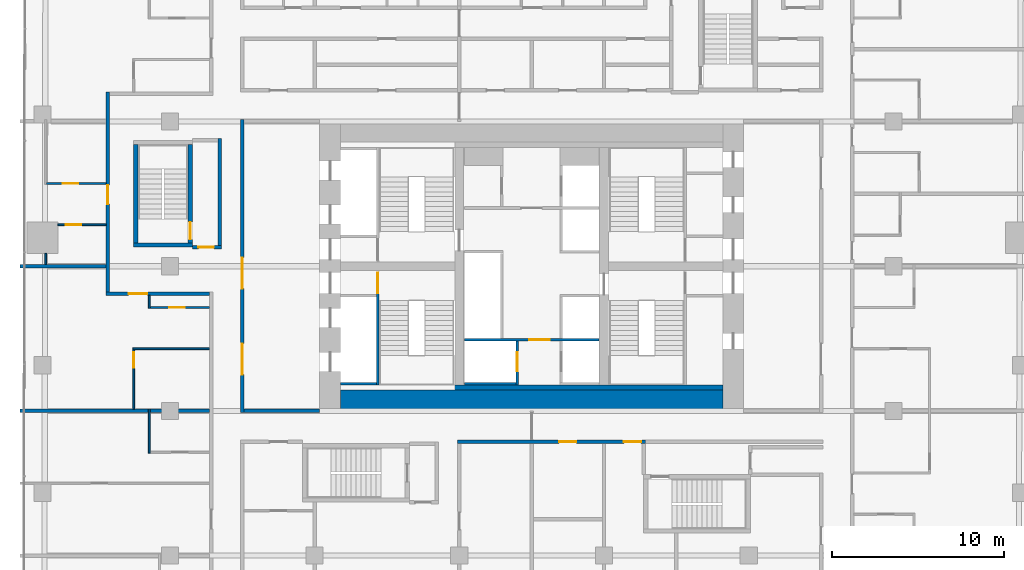
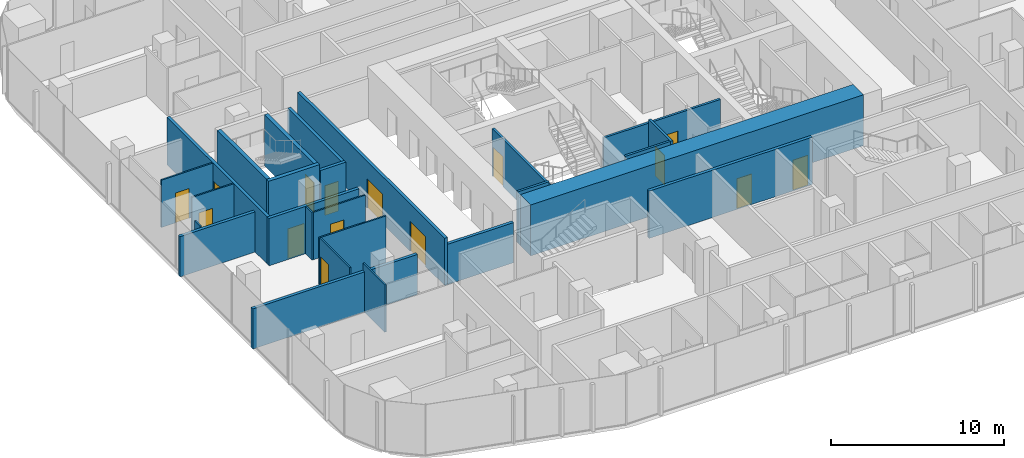
# One storey, part 17 of 26: 27 walls, 15 doors, 15 openings.
"""IFC4 building model written with IfcOpenShell, lengths in metres."""

from ifc_helpers import new_model, si_unit, direction, frame, frame_2d, origin, place, context, subcontext, project, spatial, rectangle, extrude, material, layer, layer_set, type_object, element, fill, save


model = new_model("IFC4")

# Units and contexts
model_context = context("Model", 3, precision=1e-05, world=origin(), true_north=direction((0.0, 1.0)))
body_context = subcontext(model_context, "Body", "Model", "MODEL_VIEW")
ifc_project = project(units=[si_unit("LENGTHUNIT", "METRE"), si_unit("AREAUNIT", "SQUARE_METRE"), si_unit("VOLUMEUNIT", "CUBIC_METRE"), si_unit("PLANEANGLEUNIT", "RADIAN"), si_unit("MASSUNIT", "GRAM", prefix="KILO")], contexts=[model_context])

# Site, building, storey
site_placement = place(None, origin())
site = spatial("IfcSite", under=ifc_project, at=site_placement, CompositionType="ELEMENT")
building_placement = place(site_placement, origin())
building = spatial("IfcBuilding", under=site, at=building_placement, Name="Marenta Gate Hotel Tower", CompositionType="ELEMENT")
storey_placement = place(building_placement, frame((0.0, 0.0, 65.300048828125)))
storey = spatial("IfcBuildingStorey", under=building, at=storey_placement, Name="L14", CompositionType="ELEMENT", Elevation=65.300048828125)

# Wall, openings, doors
ifc_material_1 = material(Name="Concrete blockwork", Category="masonry")
ifc_layer_1 = layer(ifc_material_1, 0.199951171875)
ifc_layer_set_1 = layer_set([ifc_layer_1], Name="Concrete blockwork")
wall_type_1 = type_object("IfcWallType", Name="Core boundary wall 200 REI 180", PredefinedType="PARTITIONING", material=ifc_layer_set_1)
wall_1_placement = place(storey_placement, frame((-16.800048828125, -0.10009765625, 0.0), z_axis=(0.0, 0.0, 1.0), x_axis=(0.0, 1.0, 0.0)))
wall_1 = element("IfcWall", 1, at=wall_1_placement, inside=storey, type_object=wall_type_1, Name="L14-CP-BW-W", PredefinedType="PARTITIONING", context=body_context, shape_type="SweptSolid", body=[
    extrude(rectangle(XDim=17.0, YDim=0.199951171875, at=frame_2d((8.5, 0.0))), origin(), (0.0, 0.0, 1.0), 3.33984375),
])
opening_1_placement = place(wall_1_placement, frame((2.199951171875, 0.0, 0.0)))
opening_1 = element("IfcOpeningElement", 2, at=opening_1_placement, cuts=wall_1, Name="Opening ED-Wa-B", PredefinedType="OPENING", context=body_context, shape_type="SweptSolid", body=[
    extrude(rectangle(XDim=1.800048828125, YDim=2.10009765625, at=frame_2d((0.89990234375, 1.050048828125))), frame((0.0, 0.10009765625, 0.0), z_axis=(0.0, -1.0, 0.0), x_axis=(1.0, 0.0, 0.0)), (0.0, 0.0, 1.0), 0.199951171875),
])
opening_2_placement = place(wall_1_placement, frame((7.199951171875, 0.0, 0.0)))
opening_2 = element("IfcOpeningElement", 3, at=opening_2_placement, cuts=wall_1, Name="Opening ED-Wb-B", PredefinedType="OPENING", context=body_context, shape_type="SweptSolid", body=[
    extrude(rectangle(XDim=1.800048828125, YDim=2.10009765625, at=frame_2d((0.89990234375, 1.050048828125))), frame((0.0, 0.10009765625, 0.0), z_axis=(0.0, -1.0, 0.0), x_axis=(1.0, 0.0, 0.0)), (0.0, 0.0, 1.0), 0.199951171875),
])
ifc_material_2 = material(Name="Steel", Category="steel")
door_type_1 = type_object("IfcDoorType", Name="Core lobby entrance door 1800x2100 EI 60", OperationType="DOUBLE_DOOR_SINGLE_SWING", PredefinedType="DOOR", material=ifc_material_2)
door_1_placement = place(opening_1_placement, origin())
door_1 = element("IfcDoor", 4, at=door_1_placement, inside=storey, type_object=door_type_1, Name="ED-Wa-B", OperationType="DOUBLE_DOOR_SINGLE_SWING", OverallHeight=2.10009765625, OverallWidth=1.800048828125, PredefinedType="DOOR", context=body_context, shape_type="SweptSolid", body=[
    extrude(rectangle(XDim=1.800048828125, YDim=2.10009765625, at=frame_2d((0.89990234375, 1.050048828125))), frame((0.0, 0.02490234375, 0.0), z_axis=(0.0, -1.0, 0.0), x_axis=(1.0, 0.0, 0.0)), (0.0, 0.0, 1.0), 0.050048828125),
])
fill(opening_1, door_1)
door_2_placement = place(opening_2_placement, origin())
door_2 = element("IfcDoor", 5, at=door_2_placement, inside=storey, type_object=door_type_1, Name="ED-Wb-B", OperationType="DOUBLE_DOOR_SINGLE_SWING", OverallHeight=2.10009765625, OverallWidth=1.800048828125, PredefinedType="DOOR", context=body_context, shape_type="SweptSolid", body=[
    extrude(rectangle(XDim=1.800048828125, YDim=2.10009765625, at=frame_2d((0.89990234375, 1.050048828125))), frame((0.0, 0.02490234375, 0.0), z_axis=(0.0, -1.0, 0.0), x_axis=(1.0, 0.0, 0.0)), (0.0, 0.0, 1.0), 0.050048828125),
])
fill(opening_2, door_2)

# Walls
wall_2_placement = place(storey_placement, frame((-16.699951171875, 0.0, 0.0), z_axis=(0.0, 0.0, 1.0), x_axis=(1.0, 0.0, 0.0)))
element("IfcWall", 6, at=wall_2_placement, inside=storey, type_object=wall_type_1, Name="L14-CP-EW-WS", PredefinedType="PARTITIONING", context=body_context, shape_type="SweptSolid", body=[
    extrude(rectangle(XDim=4.39990234375, YDim=0.199951171875, at=frame_2d((2.199951171875, 0.0))), origin(), (0.0, 0.0, 1.0), 2.83984375),
])
ifc_material_3 = material(Name="Concrete C40", Category="concrete")
ifc_layer_2 = layer(ifc_material_3, 0.300048828125)
ifc_layer_set_2 = layer_set([ifc_layer_2], Name="Concrete C40")
wall_type_2 = type_object("IfcWallType", Name="Core lining wall 300 REI 180", PredefinedType="PARTITIONING", material=ifc_layer_set_2)
wall_3_placement = place(storey_placement, frame((-11.10009765625, 1.35009765625, 0.0), z_axis=(0.0, 0.0, 1.0), x_axis=(1.0, 0.0, 0.0)))
element("IfcWall", 7, at=wall_3_placement, inside=storey, type_object=wall_type_2, Name="L14-CP-LN-S", PredefinedType="PARTITIONING", context=body_context, shape_type="SweptSolid", body=[
    extrude(rectangle(XDim=22.2001953125, YDim=0.300048828125, at=frame_2d((11.10009765625, 0.0))), origin(), (0.0, 0.0, 1.0), 3.33984375),
])

# Wall, opening, door
ifc_material_4 = material(Name="Concrete blockwork", Category="masonry")
ifc_layer_3 = layer(ifc_material_4, 0.14990234375)
ifc_layer_set_3 = layer_set([ifc_layer_3], Name="Concrete blockwork")
wall_type_3 = type_object("IfcWallType", Name="Core lobby partition 150 REI 180", PredefinedType="PARTITIONING", material=ifc_layer_set_3)
wall_4_placement = place(storey_placement, frame((-3.89990234375, 4.125, 0.0), z_axis=(0.0, 0.0, 1.0), x_axis=(1.0, 0.0, 0.0)))
wall_4 = element("IfcWall", 8, at=wall_4_placement, inside=storey, type_object=wall_type_3, Name="L14-CP-CW-S", PredefinedType="PARTITIONING", context=body_context, shape_type="SweptSolid", body=[
    extrude(rectangle(XDim=7.7998046875, YDim=0.14990234375, at=frame_2d((3.89990234375, 0.0))), origin(), (0.0, 0.0, 1.0), 3.33984375),
])
opening_3_placement = place(wall_4_placement, frame((3.75, 0.0, 0.0)))
opening_3 = element("IfcOpeningElement", 9, at=opening_3_placement, cuts=wall_4, Name="Opening FD-FFS", PredefinedType="OPENING", context=body_context, shape_type="SweptSolid", body=[
    extrude(rectangle(XDim=1.199951171875, YDim=2.10009765625, at=frame_2d((0.60009765625, 1.050048828125))), frame((0.0, 0.074951171875, 0.0), z_axis=(0.0, -1.0, 0.0), x_axis=(1.0, 0.0, 0.0)), (0.0, 0.0, 1.0), 0.14990234375),
])
ifc_material_5 = material(Name="Steel", Category="steel")
door_type_2 = type_object("IfcDoorType", Name="Core lobby door 1200x2100 FD60", OperationType="SINGLE_SWING_LEFT", PredefinedType="DOOR", material=ifc_material_5)
door_3_placement = place(opening_3_placement, origin())
door_3 = element("IfcDoor", 10, at=door_3_placement, inside=storey, type_object=door_type_2, Name="FD-FFS", OperationType="SINGLE_SWING_LEFT", OverallHeight=2.10009765625, OverallWidth=1.199951171875, PredefinedType="DOOR", context=body_context, shape_type="SweptSolid", body=[
    extrude(rectangle(XDim=1.199951171875, YDim=2.10009765625, at=frame_2d((0.60009765625, 1.050048828125))), frame((0.0, 0.02490234375, 0.0), z_axis=(0.0, -1.0, 0.0), x_axis=(1.0, 0.0, 0.0)), (0.0, 0.0, 1.0), 0.050048828125),
])
fill(opening_3, door_3)

# Wall
ifc_material_6 = material(Name="Concrete C40", Category="concrete")
ifc_layer_4 = layer(ifc_material_6, 0.14990234375)
ifc_layer_set_4 = layer_set([ifc_layer_4], Name="Concrete C40")
wall_type_4 = type_object("IfcWallType", Name="Core shaft wall 150 REI 180", PredefinedType="SHEAR", material=ifc_layer_set_4)
wall_5_placement = place(storey_placement, frame((-11.10009765625, 1.574951171875, 0.0), z_axis=(0.0, 0.0, 1.0), x_axis=(1.0, 0.0, 0.0)))
element("IfcWall", 11, at=wall_5_placement, inside=storey, type_object=wall_type_4, Name="L14-SHF-SW-WS-5", PredefinedType="SHEAR", context=body_context, shape_type="SweptSolid", body=[
    extrude(rectangle(XDim=2.10009765625, YDim=0.14990234375, at=frame_2d((1.050048828125, 0.0))), origin(), (0.0, 0.0, 1.0), 3.599853515625),
])

# Wall, opening, door
wall_6_placement = place(storey_placement, frame((-0.824951171875, 1.5, 0.0), z_axis=(0.0, 0.0, 1.0), x_axis=(0.0, 1.0, 0.0)))
wall_6 = element("IfcWall", 12, at=wall_6_placement, inside=storey, type_object=wall_type_4, Name="L14-SHF-CW-W-ff", PredefinedType="SHEAR", context=body_context, shape_type="SweptSolid", body=[
    extrude(rectangle(XDim=2.550048828125, YDim=0.14990234375, at=frame_2d((1.27490234375, 0.0))), origin(), (0.0, 0.0, 1.0), 3.599853515625),
])
opening_4_placement = place(wall_6_placement, frame((0.800048828125, 0.0, 0.0)))
opening_4 = element("IfcOpeningElement", 13, at=opening_4_placement, cuts=wall_6, Name="Opening LD-FF1", PredefinedType="OPENING", context=body_context, shape_type="SweptSolid", body=[
    extrude(rectangle(XDim=1.10009765625, YDim=2.10009765625, at=frame_2d((0.550048828125, 1.050048828125))), frame((0.0, 0.074951171875, 0.0), z_axis=(0.0, -1.0, 0.0), x_axis=(1.0, 0.0, 0.0)), (0.0, 0.0, 1.0), 0.14990234375),
])
ifc_material_7 = material(Name="Steel", Category="steel")
door_type_3 = type_object("IfcDoorType", Name="Core lift landing door 1100x2100 E 60", OperationType="SLIDING_TO_LEFT", PredefinedType="DOOR", material=ifc_material_7)
door_4_placement = place(opening_4_placement, origin())
door_4 = element("IfcDoor", 14, at=door_4_placement, inside=storey, type_object=door_type_3, Name="LD-FF1", OperationType="SLIDING_TO_LEFT", OverallHeight=2.10009765625, OverallWidth=1.10009765625, PredefinedType="DOOR", context=body_context, shape_type="SweptSolid", body=[
    extrude(rectangle(XDim=1.10009765625, YDim=2.10009765625, at=frame_2d((0.550048828125, 1.050048828125))), frame((0.0, 0.02490234375, 0.0), z_axis=(0.0, -1.0, 0.0), x_axis=(1.0, 0.0, 0.0)), (0.0, 0.0, 1.0), 0.050048828125),
])
fill(opening_4, door_4)

# Wall
wall_7_placement = place(storey_placement, frame((-3.89990234375, 1.574951171875, 0.0), z_axis=(0.0, 0.0, 1.0), x_axis=(1.0, 0.0, 0.0)))
element("IfcWall", 15, at=wall_7_placement, inside=storey, type_object=wall_type_4, Name="L14-SHF-CW-W-ffs", PredefinedType="SHEAR", context=body_context, shape_type="SweptSolid", body=[
    extrude(rectangle(XDim=3.0, YDim=0.14990234375, at=frame_2d((1.5, 0.0))), origin(), (0.0, 0.0, 1.0), 3.599853515625),
])

# Wall, opening, door
ifc_material_8 = material(Name="Concrete C40", Category="concrete")
ifc_layer_5 = layer(ifc_material_8, 0.14990234375)
ifc_layer_set_5 = layer_set([ifc_layer_5], Name="Concrete C40")
wall_type_5 = type_object("IfcWallType", Name="Core stair enclosure wall 150 REI 180", PredefinedType="SHEAR", material=ifc_layer_set_5)
wall_8_placement = place(storey_placement, frame((-8.925048828125, 1.5, 0.0), z_axis=(0.0, 0.0, 1.0), x_axis=(0.0, 1.0, 0.0)))
wall_8 = element("IfcWall", 16, at=wall_8_placement, inside=storey, type_object=wall_type_5, Name="L14-SHF-SW-WS-3", PredefinedType="SHEAR", context=body_context, shape_type="SweptSolid", body=[
    extrude(rectangle(XDim=6.60009765625, YDim=0.14990234375, at=frame_2d((3.300048828125, 0.0))), origin(), (0.0, 0.0, 1.0), 3.33984375),
])
opening_5_placement = place(wall_8_placement, frame((5.324951171875, 0.0, 0.0)))
opening_5 = element("IfcOpeningElement", 17, at=opening_5_placement, cuts=wall_8, Name="Opening SD-WS", PredefinedType="OPENING", context=body_context, shape_type="SweptSolid", body=[
    extrude(rectangle(XDim=1.199951171875, YDim=2.10009765625, at=frame_2d((0.60009765625, 1.050048828125))), frame((0.0, 0.074951171875, 0.0), z_axis=(0.0, -1.0, 0.0), x_axis=(1.0, 0.0, 0.0)), (0.0, 0.0, 1.0), 0.14990234375),
])
ifc_material_9 = material(Name="Steel", Category="steel")
door_type_4 = type_object("IfcDoorType", Name="Core stair door 1200x2100 FD60", OperationType="SINGLE_SWING_LEFT", PredefinedType="DOOR", material=ifc_material_9)
door_5_placement = place(opening_5_placement, origin())
door_5 = element("IfcDoor", 18, at=door_5_placement, inside=storey, type_object=door_type_4, Name="SD-WS", OperationType="SINGLE_SWING_LEFT", OverallHeight=2.10009765625, OverallWidth=1.199951171875, PredefinedType="DOOR", context=body_context, shape_type="SweptSolid", body=[
    extrude(rectangle(XDim=1.199951171875, YDim=2.10009765625, at=frame_2d((0.60009765625, 1.050048828125))), frame((0.0, 0.02490234375, 0.0), z_axis=(0.0, -1.0, 0.0), x_axis=(1.0, 0.0, 0.0)), (0.0, 0.0, 1.0), 0.050048828125),
])
fill(opening_5, door_5)

# Walls
ifc_material_10 = material(Name="Concrete C80", Category="concrete")
ifc_layer_6 = layer(ifc_material_10, 1.199951171875)
ifc_layer_set_6 = layer_set([ifc_layer_6], Name="Concrete C80")
wall_type_6 = type_object("IfcWallType", Name="Core wall 1200 C80", PredefinedType="SHEAR", material=ifc_layer_set_6)
wall_9_placement = place(storey_placement, frame((-11.10009765625, 0.60009765625, 0.0), z_axis=(0.0, 0.0, 1.0), x_axis=(1.0, 0.0, 0.0)))
element("IfcWall", 19, at=wall_9_placement, inside=storey, type_object=wall_type_6, Name="L14-CORE-S", PredefinedType="SHEAR", context=body_context, shape_type="SweptSolid", body=[
    extrude(rectangle(XDim=22.2001953125, YDim=1.199951171875, at=frame_2d((11.10009765625, 0.0))), origin(), (0.0, 0.0, 1.0), 3.599853515625),
])
ifc_material_11 = material(Name="Concrete C40", Category="concrete")
ifc_layer_7 = layer(ifc_material_11, 0.25)
ifc_layer_set_7 = layer_set([ifc_layer_7], Name="Concrete C40")
wall_type_7 = type_object("IfcWallType", Name="Remote stair enclosure wall 250 REI 180", PredefinedType="SHEAR", material=ifc_layer_set_7)
wall_10_placement = place(storey_placement, frame((-23.10009765625, 9.625, 0.099853515625), z_axis=(0.0, 0.0, 1.0), x_axis=(1.0, 0.0, 0.0)))
element("IfcWall", 20, at=wall_10_placement, inside=storey, type_object=wall_type_7, Name="L14-RS-Z1-3-W1", PredefinedType="SHEAR", context=body_context, shape_type="SweptSolid", body=[
    extrude(rectangle(XDim=3.400146484375, YDim=0.25, at=frame_2d((1.7001953125, 0.0))), origin(), (0.0, 0.0, 1.0), 3.60009765625),
])
wall_11_placement = place(storey_placement, frame((-22.97509765625, 9.75, 0.099853515625), z_axis=(0.0, 0.0, 1.0), x_axis=(0.0, 1.0, 0.0)))
element("IfcWall", 21, at=wall_11_placement, inside=storey, type_object=wall_type_7, Name="L14-RS-Z1-3-W3", PredefinedType="SHEAR", context=body_context, shape_type="SweptSolid", body=[
    extrude(rectangle(XDim=5.699951171875, YDim=0.25, at=frame_2d((2.85009765625, 0.0))), origin(), (0.0, 0.0, 1.0), 3.60009765625),
])

# Wall, opening, door
wall_12_placement = place(storey_placement, frame((-19.824951171875, 9.75, 0.099853515625), z_axis=(0.0, 0.0, 1.0), x_axis=(0.0, 1.0, 0.0)))
wall_12 = element("IfcWall", 22, at=wall_12_placement, inside=storey, type_object=wall_type_7, Name="L14-RS-Z1-3-W4", PredefinedType="SHEAR", context=body_context, shape_type="SweptSolid", body=[
    extrude(rectangle(XDim=5.699951171875, YDim=0.25, at=frame_2d((2.85009765625, 0.0))), origin(), (0.0, 0.0, 1.0), 3.60009765625),
])
opening_6_placement = place(wall_12_placement, frame((0.199951171875, 0.0, 0.0)))
opening_6 = element("IfcOpeningElement", 23, at=opening_6_placement, cuts=wall_12, Name="Opening VD", PredefinedType="OPENING", context=body_context, shape_type="SweptSolid", body=[
    extrude(rectangle(XDim=1.0, YDim=2.10009765625, at=frame_2d((0.5, 1.050048828125))), frame((0.0, 0.125, 0.0), z_axis=(0.0, -1.0, 0.0), x_axis=(1.0, 0.0, 0.0)), (0.0, 0.0, 1.0), 0.25),
])
ifc_material_12 = material(Name="Steel", Category="steel")
door_type_5 = type_object("IfcDoorType", Name="Stair vestibule door 1000x2100 FD60", OperationType="SINGLE_SWING_LEFT", PredefinedType="DOOR", material=ifc_material_12)
door_6_placement = place(opening_6_placement, origin())
door_6 = element("IfcDoor", 24, at=door_6_placement, inside=storey, type_object=door_type_5, Name="VD", OperationType="SINGLE_SWING_LEFT", OverallHeight=2.10009765625, OverallWidth=1.0, PredefinedType="DOOR", context=body_context, shape_type="SweptSolid", body=[
    extrude(rectangle(XDim=1.0, YDim=2.10009765625, at=frame_2d((0.5, 1.050048828125))), frame((0.0, 0.02490234375, 0.0), z_axis=(0.0, -1.0, 0.0), x_axis=(1.0, 0.0, 0.0)), (0.0, 0.0, 1.0), 0.050048828125),
])
fill(opening_6, door_6)

# Wall, openings, doors
ifc_material_13 = material(Name="Gypsum board on steel stud", Category="steel")
ifc_layer_8 = layer(ifc_material_13, 0.199951171875)
ifc_layer_set_8 = layer_set([ifc_layer_8], Name="Gypsum board on steel stud")
wall_type_8 = type_object("IfcWallType", Name="Room corridor wall 200 EI 60", PredefinedType="PARTITIONING", material=ifc_layer_set_8)
wall_13_placement = place(storey_placement, frame((-4.300048828125, -1.800048828125, 0.0), z_axis=(0.0, 0.0, 1.0), x_axis=(1.0, 0.0, 0.0)))
wall_13 = element("IfcWall", 25, at=wall_13_placement, inside=storey, type_object=wall_type_8, Name="L14-PTN-W069", PredefinedType="PARTITIONING", context=body_context, shape_type="SweptSolid", body=[
    extrude(rectangle(XDim=10.900146484375, YDim=0.199951171875, at=frame_2d((5.4501953125, 0.0))), origin(), (0.0, 0.0, 1.0), 3.33984375),
])
opening_7_placement = place(wall_13_placement, frame((9.64990234375, 0.0, 0.0)))
opening_7 = element("IfcOpeningElement", 26, at=opening_7_placement, cuts=wall_13, Name="Opening G05-04", PredefinedType="OPENING", context=body_context, shape_type="SweptSolid", body=[
    extrude(rectangle(XDim=1.0, YDim=2.10009765625, at=frame_2d((0.5, 1.050048828125))), frame((0.0, 0.10009765625, 0.0), z_axis=(0.0, -1.0, 0.0), x_axis=(1.0, 0.0, 0.0)), (0.0, 0.0, 1.0), 0.199951171875),
])
opening_8_placement = place(wall_13_placement, frame((5.89990234375, 0.0, 0.0)))
opening_8 = element("IfcOpeningElement", 27, at=opening_8_placement, cuts=wall_13, Name="Opening G05-80", PredefinedType="OPENING", context=body_context, shape_type="SweptSolid", body=[
    extrude(rectangle(XDim=1.0, YDim=2.10009765625, at=frame_2d((0.5, 1.050048828125))), frame((0.0, 0.10009765625, 0.0), z_axis=(0.0, -1.0, 0.0), x_axis=(1.0, 0.0, 0.0)), (0.0, 0.0, 1.0), 0.199951171875),
])
ifc_material_14 = material(Name="Timber door leaf", Category="wood")
door_type_6 = type_object("IfcDoorType", Name="Room amenity door 1000x2100 EI 30", OperationType="NOTDEFINED", PredefinedType="DOOR", material=ifc_material_14)
door_7_placement = place(opening_7_placement, origin())
door_7 = element("IfcDoor", 28, at=door_7_placement, inside=storey, type_object=door_type_6, Name="L14-PD-D004", OperationType="SINGLE_SWING_LEFT", OverallHeight=2.10009765625, OverallWidth=1.0, PredefinedType="DOOR", context=body_context, shape_type="SweptSolid", body=[
    extrude(rectangle(XDim=1.0, YDim=2.10009765625, at=frame_2d((0.5, 1.050048828125))), frame((0.0, 0.02490234375, 0.0), z_axis=(0.0, -1.0, 0.0), x_axis=(1.0, 0.0, 0.0)), (0.0, 0.0, 1.0), 0.050048828125),
])
fill(opening_7, door_7)
door_8_placement = place(opening_8_placement, origin())
door_8 = element("IfcDoor", 29, at=door_8_placement, inside=storey, type_object=door_type_6, Name="L14-PD-D080", OperationType="SINGLE_SWING_RIGHT", OverallHeight=2.10009765625, OverallWidth=1.0, PredefinedType="DOOR", context=body_context, shape_type="SweptSolid", body=[
    extrude(rectangle(XDim=1.0, YDim=2.10009765625, at=frame_2d((0.5, 1.050048828125))), frame((0.0, 0.02490234375, 0.0), z_axis=(0.0, -1.0, 0.0), x_axis=(1.0, 0.0, 0.0)), (0.0, 0.0, 1.0), 0.050048828125),
])
fill(opening_8, door_8)

# Wall, opening, door
wall_14_placement = place(storey_placement, frame((-24.699951171875, 6.800048828125, 0.0), z_axis=(0.0, 0.0, 1.0), x_axis=(1.0, 0.0, 0.0)))
wall_14 = element("IfcWall", 30, at=wall_14_placement, inside=storey, type_object=wall_type_8, Name="L14-PTN-W089", PredefinedType="PARTITIONING", context=body_context, shape_type="SweptSolid", body=[
    extrude(rectangle(XDim=6.0, YDim=0.199951171875, at=frame_2d((3.0, 0.0))), origin(), (0.0, 0.0, 1.0), 3.33984375),
])
opening_9_placement = place(wall_14_placement, frame((1.300048828125, 0.0, 0.0)))
opening_9 = element("IfcOpeningElement", 31, at=opening_9_placement, cuts=wall_14, Name="Opening G05-54", PredefinedType="OPENING", context=body_context, shape_type="SweptSolid", body=[
    extrude(rectangle(XDim=1.10009765625, YDim=2.10009765625, at=frame_2d((0.550048828125, 1.050048828125))), frame((0.0, 0.10009765625, 0.0), z_axis=(0.0, -1.0, 0.0), x_axis=(1.0, 0.0, 0.0)), (0.0, 0.0, 1.0), 0.199951171875),
])
ifc_material_15 = material(Name="Timber door leaf", Category="wood")
door_type_7 = type_object("IfcDoorType", Name="Guest room door 1100x2100 EI 30", OperationType="NOTDEFINED", PredefinedType="DOOR", material=ifc_material_15)
door_9_placement = place(opening_9_placement, origin())
door_9 = element("IfcDoor", 32, at=door_9_placement, inside=storey, type_object=door_type_7, Name="L14-PD-D054", OperationType="SINGLE_SWING_LEFT", OverallHeight=2.10009765625, OverallWidth=1.10009765625, PredefinedType="DOOR", context=body_context, shape_type="SweptSolid", body=[
    extrude(rectangle(XDim=1.10009765625, YDim=2.10009765625, at=frame_2d((0.550048828125, 1.050048828125))), frame((0.0, 0.02490234375, 0.0), z_axis=(0.0, -1.0, 0.0), x_axis=(1.0, 0.0, 0.0)), (0.0, 0.0, 1.0), 0.050048828125),
])
fill(opening_9, door_9)

wall_15_placement = place(storey_placement, frame((-24.60009765625, 6.89990234375, 0.0), z_axis=(0.0, 0.0, 1.0), x_axis=(0.0, 1.0, 0.0)))
wall_15 = element("IfcWall", 33, at=wall_15_placement, inside=storey, type_object=wall_type_8, Name="L14-PTN-W139", PredefinedType="PARTITIONING", context=body_context, shape_type="SweptSolid", body=[
    extrude(rectangle(XDim=11.60009765625, YDim=0.199951171875, at=frame_2d((5.800048828125, 0.0))), origin(), (0.0, 0.0, 1.0), 3.33984375),
])
opening_10_placement = place(wall_15_placement, frame((5.10009765625, 0.0, 0.0)))
opening_10 = element("IfcOpeningElement", 34, at=opening_10_placement, cuts=wall_15, Name="Opening G05-57", PredefinedType="OPENING", context=body_context, shape_type="SweptSolid", body=[
    extrude(rectangle(XDim=1.10009765625, YDim=2.10009765625, at=frame_2d((0.550048828125, 1.050048828125))), frame((0.0, 0.10009765625, 0.0), z_axis=(0.0, -1.0, 0.0), x_axis=(1.0, 0.0, 0.0)), (0.0, 0.0, 1.0), 0.199951171875),
])
door_10_placement = place(opening_10_placement, origin())
door_10 = element("IfcDoor", 35, at=door_10_placement, inside=storey, type_object=door_type_7, Name="L14-PD-D057", OperationType="SINGLE_SWING_RIGHT", OverallHeight=2.10009765625, OverallWidth=1.10009765625, PredefinedType="DOOR", context=body_context, shape_type="SweptSolid", body=[
    extrude(rectangle(XDim=1.10009765625, YDim=2.10009765625, at=frame_2d((0.550048828125, 1.050048828125))), frame((0.0, 0.02490234375, 0.0), z_axis=(0.0, -1.0, 0.0), x_axis=(1.0, 0.0, 0.0)), (0.0, 0.0, 1.0), 0.050048828125),
])
fill(opening_10, door_10)

ifc_material_16 = material(Name="Concrete blockwork", Category="masonry")
ifc_layer_9 = layer(ifc_material_16, 0.199951171875)
ifc_layer_set_9 = layer_set([ifc_layer_9], Name="Concrete blockwork")
wall_type_9 = type_object("IfcWallType", Name="Room corridor wall 200 REI 180", PredefinedType="PARTITIONING", material=ifc_layer_set_9)
wall_16_placement = place(storey_placement, frame((-19.699951171875, 9.5, 0.0), z_axis=(0.0, 0.0, 1.0), x_axis=(1.0, 0.0, 0.0)))
wall_16 = element("IfcWall", 36, at=wall_16_placement, inside=storey, type_object=wall_type_9, Name="L14-PTN-W094", PredefinedType="PARTITIONING", context=body_context, shape_type="SweptSolid", body=[
    extrude(rectangle(XDim=1.699951171875, YDim=0.199951171875, at=frame_2d((0.85009765625, 0.0))), origin(), (0.0, 0.0, 1.0), 3.33984375),
])
opening_11_placement = place(wall_16_placement, frame((0.35009765625, 0.0, 0.0)))
opening_11 = element("IfcOpeningElement", 37, at=opening_11_placement, cuts=wall_16, Name="Opening G05-68", PredefinedType="OPENING", context=body_context, shape_type="SweptSolid", body=[
    extrude(rectangle(XDim=0.89990234375, YDim=2.10009765625, at=frame_2d((0.449951171875, 1.050048828125))), frame((0.0, 0.10009765625, 0.0), z_axis=(0.0, -1.0, 0.0), x_axis=(1.0, 0.0, 0.0)), (0.0, 0.0, 1.0), 0.199951171875),
])
ifc_material_17 = material(Name="Hollow steel door set", Category="steel")
door_type_8 = type_object("IfcDoorType", Name="Stair vestibule door 900x2100 EI 60", OperationType="NOTDEFINED", PredefinedType="DOOR", material=ifc_material_17)
door_11_placement = place(opening_11_placement, origin())
door_11 = element("IfcDoor", 38, at=door_11_placement, inside=storey, type_object=door_type_8, Name="L14-PD-D068", OperationType="SINGLE_SWING_RIGHT", OverallHeight=2.10009765625, OverallWidth=0.89990234375, PredefinedType="DOOR", context=body_context, shape_type="SweptSolid", body=[
    extrude(rectangle(XDim=0.89990234375, YDim=2.10009765625, at=frame_2d((0.449951171875, 1.050048828125))), frame((0.0, 0.02490234375, 0.0), z_axis=(0.0, -1.0, 0.0), x_axis=(1.0, 0.0, 0.0)), (0.0, 0.0, 1.0), 0.050048828125),
])
fill(opening_11, door_11)

# Walls
wall_17_placement = place(storey_placement, frame((-18.10009765625, 9.60009765625, 0.0), z_axis=(0.0, 0.0, 1.0), x_axis=(0.0, 1.0, 0.0)))
element("IfcWall", 39, at=wall_17_placement, inside=storey, type_object=wall_type_9, Name="L14-PTN-W112", PredefinedType="PARTITIONING", context=body_context, shape_type="SweptSolid", body=[
    extrude(rectangle(XDim=6.199951171875, YDim=0.199951171875, at=frame_2d((3.10009765625, 0.0))), origin(), (0.0, 0.0, 1.0), 3.33984375),
])
ifc_material_18 = material(Name="Gypsum board on steel stud", Category="steel")
ifc_layer_10 = layer(ifc_material_18, 0.10009765625)
ifc_layer_set_10 = layer_set([ifc_layer_10], Name="Gypsum board on steel stud")
wall_type_10 = type_object("IfcWallType", Name="Room partition 100", PredefinedType="PARTITIONING", material=ifc_layer_set_10)
wall_18_placement = place(storey_placement, frame((-23.14990234375, 3.60009765625, 0.0), z_axis=(0.0, 0.0, 1.0), x_axis=(1.0, 0.0, 0.0)))
element("IfcWall", 40, at=wall_18_placement, inside=storey, type_object=wall_type_10, Name="L14-PTN-W078", PredefinedType="PARTITIONING", context=body_context, shape_type="SweptSolid", body=[
    extrude(rectangle(XDim=4.449951171875, YDim=0.10009765625, at=frame_2d((2.22509765625, 0.0))), origin(), (0.0, 0.0, 1.0), 3.33984375),
])

# Wall, opening, door
wall_19_placement = place(storey_placement, frame((-22.14990234375, 6.0, 0.0), z_axis=(0.0, 0.0, 1.0), x_axis=(1.0, 0.0, 0.0)))
wall_19 = element("IfcWall", 41, at=wall_19_placement, inside=storey, type_object=wall_type_10, Name="L14-PTN-W085", PredefinedType="PARTITIONING", context=body_context, shape_type="SweptSolid", body=[
    extrude(rectangle(XDim=3.449951171875, YDim=0.10009765625, at=frame_2d((1.72509765625, 0.0))), origin(), (0.0, 0.0, 1.0), 3.33984375),
])
opening_12_placement = place(wall_19_placement, frame((1.1201171875, 0.0, 0.0)))
opening_12 = element("IfcOpeningElement", 42, at=opening_12_placement, cuts=wall_19, Name="Opening G05-56", PredefinedType="OPENING", context=body_context, shape_type="SweptSolid", body=[
    extrude(rectangle(XDim=0.89990234375, YDim=2.10009765625, at=frame_2d((0.449951171875, 1.050048828125))), frame((0.0, 0.050048828125, 0.0), z_axis=(0.0, -1.0, 0.0), x_axis=(1.0, 0.0, 0.0)), (0.0, 0.0, 1.0), 0.10009765625),
])
ifc_material_19 = material(Name="Timber door leaf", Category="wood")
door_type_9 = type_object("IfcDoorType", Name="Room inner door 900x2100", OperationType="NOTDEFINED", PredefinedType="DOOR", material=ifc_material_19)
door_12_placement = place(opening_12_placement, origin())
door_12 = element("IfcDoor", 43, at=door_12_placement, inside=storey, type_object=door_type_9, Name="L14-PD-D056", OperationType="SINGLE_SWING_LEFT", OverallHeight=2.10009765625, OverallWidth=0.89990234375, PredefinedType="DOOR", context=body_context, shape_type="SweptSolid", body=[
    extrude(rectangle(XDim=0.89990234375, YDim=2.10009765625, at=frame_2d((0.449951171875, 1.050048828125))), frame((0.0, 0.02490234375, 0.0), z_axis=(0.0, -1.0, 0.0), x_axis=(1.0, 0.0, 0.0)), (0.0, 0.0, 1.0), 0.050048828125),
])
fill(opening_12, door_12)

wall_20_placement = place(storey_placement, frame((-27.5, 10.800048828125, 0.0), z_axis=(0.0, 0.0, 1.0), x_axis=(1.0, 0.0, 0.0)))
wall_20 = element("IfcWall", 44, at=wall_20_placement, inside=storey, type_object=wall_type_10, Name="L14-PTN-W096", PredefinedType="PARTITIONING", context=body_context, shape_type="SweptSolid", body=[
    extrude(rectangle(XDim=2.800048828125, YDim=0.10009765625, at=frame_2d((1.39990234375, 0.0))), origin(), (0.0, 0.0, 1.0), 3.33984375),
])
opening_13_placement = place(wall_20_placement, frame((0.469970703125, 0.0, 0.0)))
opening_13 = element("IfcOpeningElement", 45, at=opening_13_placement, cuts=wall_20, Name="Opening G05-59", PredefinedType="OPENING", context=body_context, shape_type="SweptSolid", body=[
    extrude(rectangle(XDim=0.89990234375, YDim=2.10009765625, at=frame_2d((0.449951171875, 1.050048828125))), frame((0.0, 0.050048828125, 0.0), z_axis=(0.0, -1.0, 0.0), x_axis=(1.0, 0.0, 0.0)), (0.0, 0.0, 1.0), 0.10009765625),
])
door_13_placement = place(opening_13_placement, origin())
door_13 = element("IfcDoor", 46, at=door_13_placement, inside=storey, type_object=door_type_9, Name="L14-PD-D059", OperationType="SINGLE_SWING_RIGHT", OverallHeight=2.10009765625, OverallWidth=0.89990234375, PredefinedType="DOOR", context=body_context, shape_type="SweptSolid", body=[
    extrude(rectangle(XDim=0.89990234375, YDim=2.10009765625, at=frame_2d((0.449951171875, 1.050048828125))), frame((0.0, 0.02490234375, 0.0), z_axis=(0.0, -1.0, 0.0), x_axis=(1.0, 0.0, 0.0)), (0.0, 0.0, 1.0), 0.050048828125),
])
fill(opening_13, door_13)

wall_21_placement = place(storey_placement, frame((-28.14990234375, 13.199951171875, 0.0), z_axis=(0.0, 0.0, 1.0), x_axis=(1.0, 0.0, 0.0)))
wall_21 = element("IfcWall", 47, at=wall_21_placement, inside=storey, type_object=wall_type_10, Name="L14-PTN-W102", PredefinedType="PARTITIONING", context=body_context, shape_type="SweptSolid", body=[
    extrude(rectangle(XDim=3.449951171875, YDim=0.10009765625, at=frame_2d((1.72509765625, 0.0))), origin(), (0.0, 0.0, 1.0), 3.33984375),
])
opening_14_placement = place(wall_21_placement, frame((0.93994140625, 0.0, 0.0)))
opening_14 = element("IfcOpeningElement", 48, at=opening_14_placement, cuts=wall_21, Name="Opening G05-58", PredefinedType="OPENING", context=body_context, shape_type="SweptSolid", body=[
    extrude(rectangle(XDim=0.89990234375, YDim=2.10009765625, at=frame_2d((0.449951171875, 1.050048828125))), frame((0.0, 0.050048828125, 0.0), z_axis=(0.0, -1.0, 0.0), x_axis=(1.0, 0.0, 0.0)), (0.0, 0.0, 1.0), 0.10009765625),
])
ifc_material_20 = material(Name="Timber door leaf", Category="wood")
door_type_10 = type_object("IfcDoorType", Name="Guest bathroom door 900x2100", OperationType="NOTDEFINED", PredefinedType="DOOR", material=ifc_material_20)
door_14_placement = place(opening_14_placement, origin())
door_14 = element("IfcDoor", 49, at=door_14_placement, inside=storey, type_object=door_type_10, Name="L14-PD-D058", OperationType="SINGLE_SWING_LEFT", OverallHeight=2.10009765625, OverallWidth=0.89990234375, PredefinedType="DOOR", context=body_context, shape_type="SweptSolid", body=[
    extrude(rectangle(XDim=0.89990234375, YDim=2.10009765625, at=frame_2d((0.449951171875, 1.050048828125))), frame((0.0, 0.02490234375, 0.0), z_axis=(0.0, -1.0, 0.0), x_axis=(1.0, 0.0, 0.0)), (0.0, 0.0, 1.0), 0.050048828125),
])
fill(opening_14, door_14)

# Walls
wall_22_placement = place(storey_placement, frame((-22.199951171875, -2.449951171875, 0.0), z_axis=(0.0, 0.0, 1.0), x_axis=(0.0, 1.0, 0.0)))
element("IfcWall", 50, at=wall_22_placement, inside=storey, type_object=wall_type_10, Name="L14-PTN-W129", PredefinedType="PARTITIONING", context=body_context, shape_type="SweptSolid", body=[
    extrude(rectangle(XDim=2.550048828125, YDim=0.10009765625, at=frame_2d((1.27490234375, 0.0))), origin(), (0.0, 0.0, 1.0), 3.33984375),
])
wall_23_placement = place(storey_placement, frame((-22.199951171875, 5.949951171875, 0.0), z_axis=(0.0, 0.0, 1.0), x_axis=(0.0, 1.0, 0.0)))
element("IfcWall", 51, at=wall_23_placement, inside=storey, type_object=wall_type_10, Name="L14-PTN-W130", PredefinedType="PARTITIONING", context=body_context, shape_type="SweptSolid", body=[
    extrude(rectangle(XDim=0.75, YDim=0.10009765625, at=frame_2d((0.375, 0.0))), origin(), (0.0, 0.0, 1.0), 3.33984375),
])

# Wall, opening, door
wall_24_placement = place(storey_placement, frame((-23.10009765625, 0.10009765625, 0.0), z_axis=(0.0, 0.0, 1.0), x_axis=(0.0, 1.0, 0.0)))
wall_24 = element("IfcWall", 52, at=wall_24_placement, inside=storey, type_object=wall_type_10, Name="L14-PTN-W135", PredefinedType="PARTITIONING", context=body_context, shape_type="SweptSolid", body=[
    extrude(rectangle(XDim=3.449951171875, YDim=0.10009765625, at=frame_2d((1.72509765625, 0.0))), origin(), (0.0, 0.0, 1.0), 3.33984375),
])
opening_15_placement = place(wall_24_placement, frame((2.39990234375, 0.0, 0.0)))
opening_15 = element("IfcOpeningElement", 53, at=opening_15_placement, cuts=wall_24, Name="Opening G05-55", PredefinedType="OPENING", context=body_context, shape_type="SweptSolid", body=[
    extrude(rectangle(XDim=0.89990234375, YDim=2.10009765625, at=frame_2d((0.449951171875, 1.050048828125))), frame((0.0, 0.050048828125, 0.0), z_axis=(0.0, -1.0, 0.0), x_axis=(1.0, 0.0, 0.0)), (0.0, 0.0, 1.0), 0.10009765625),
])
door_15_placement = place(opening_15_placement, origin())
door_15 = element("IfcDoor", 54, at=door_15_placement, inside=storey, type_object=door_type_10, Name="L14-PD-D055", OperationType="SINGLE_SWING_LEFT", OverallHeight=2.10009765625, OverallWidth=0.89990234375, PredefinedType="DOOR", context=body_context, shape_type="SweptSolid", body=[
    extrude(rectangle(XDim=0.89990234375, YDim=2.10009765625, at=frame_2d((0.449951171875, 1.050048828125))), frame((0.0, 0.02490234375, 0.0), z_axis=(0.0, -1.0, 0.0), x_axis=(1.0, 0.0, 0.0)), (0.0, 0.0, 1.0), 0.050048828125),
])
fill(opening_15, door_15)

# Walls
wall_25_placement = place(storey_placement, frame((-28.199951171875, 8.5, 0.0), z_axis=(0.0, 0.0, 1.0), x_axis=(0.0, 1.0, 0.0)))
element("IfcWall", 55, at=wall_25_placement, inside=storey, type_object=wall_type_10, Name="L14-PTN-W149", PredefinedType="PARTITIONING", context=body_context, shape_type="SweptSolid", body=[
    extrude(rectangle(XDim=0.64990234375, YDim=0.10009765625, at=frame_2d((0.324951171875, 0.0))), origin(), (0.0, 0.0, 1.0), 2.93994140625),
])
ifc_material_21 = material(Name="Gypsum board on steel stud", Category="steel")
ifc_layer_11 = layer(ifc_material_21, 0.199951171875)
ifc_layer_set_11 = layer_set([ifc_layer_11], Name="Gypsum board on steel stud")
wall_type_11 = type_object("IfcWallType", Name="Room party wall 200 EI 60", PredefinedType="PARTITIONING", material=ifc_layer_set_11)
wall_26_placement = place(storey_placement, frame((-29.699951171875, 0.0, 0.0), z_axis=(0.0, 0.0, 1.0), x_axis=(1.0, 0.0, 0.0)))
element("IfcWall", 56, at=wall_26_placement, inside=storey, type_object=wall_type_11, Name="L14-PTN-W074", PredefinedType="PARTITIONING", context=body_context, shape_type="SweptSolid", body=[
    extrude(rectangle(XDim=11.0, YDim=0.199951171875, at=frame_2d((5.5, 0.0))), origin(), (0.0, 0.0, 1.0), 2.83984375),
])
wall_27_placement = place(storey_placement, frame((-29.699951171875, 8.39990234375, 0.0), z_axis=(0.0, 0.0, 1.0), x_axis=(1.0, 0.0, 0.0)))
element("IfcWall", 57, at=wall_27_placement, inside=storey, type_object=wall_type_11, Name="L14-PTN-W091", PredefinedType="PARTITIONING", context=body_context, shape_type="SweptSolid", body=[
    extrude(rectangle(XDim=5.0, YDim=0.199951171875, at=frame_2d((2.5, 0.0))), origin(), (0.0, 0.0, 1.0), 2.83984375),
])

save(model, "model.ifc")
